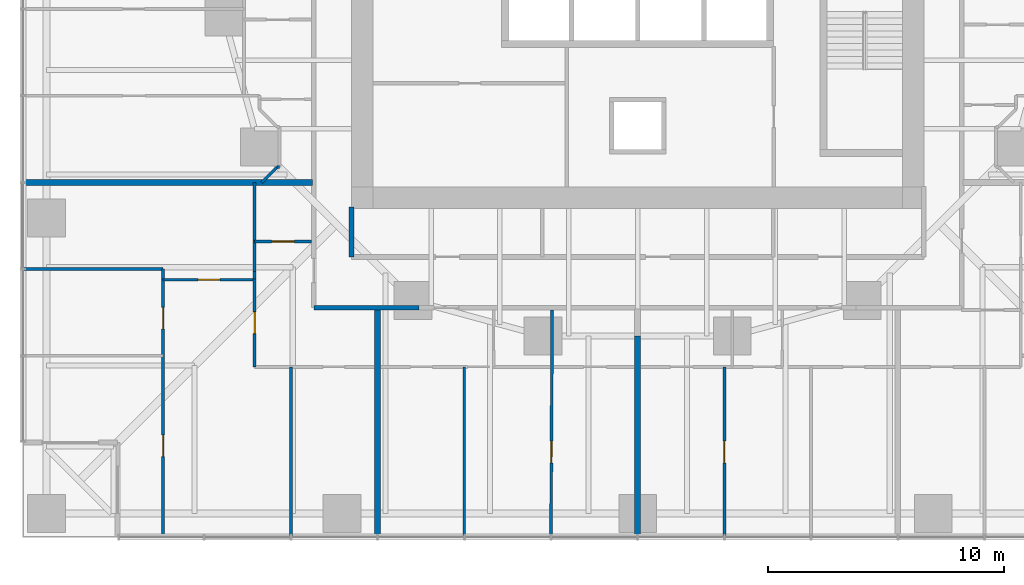
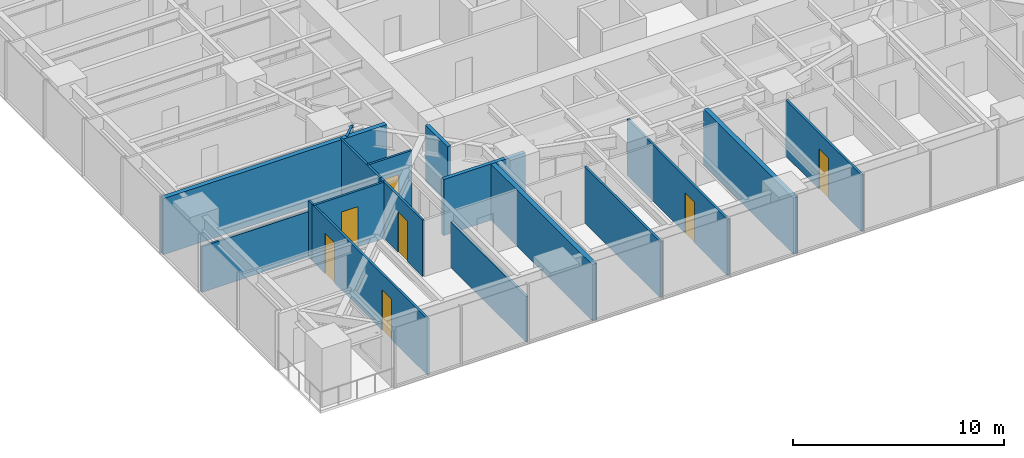
# One storey, part 8 of 18: 19 walls, 7 doors, 7 openings.
"""IFC4 building model written with IfcOpenShell, lengths in metres."""

from ifc_helpers import new_model, si_unit, direction, frame, frame_2d, origin, place, context, subcontext, project, spatial, rectangle, extrude, material, layer, layer_set, type_object, element, fill, save


model = new_model("IFC4")

# Units and contexts
model_context = context("Model", 3, precision=1e-05, world=origin(), true_north=direction((0.0, 1.0)))
body_context = subcontext(model_context, "Body", "Model", "MODEL_VIEW")
ifc_project = project(units=[si_unit("LENGTHUNIT", "METRE"), si_unit("AREAUNIT", "SQUARE_METRE"), si_unit("VOLUMEUNIT", "CUBIC_METRE"), si_unit("PLANEANGLEUNIT", "RADIAN"), si_unit("MASSUNIT", "GRAM", prefix="KILO")], contexts=[model_context])

# Site, building, storey
site_placement = place(None, origin())
site = spatial("IfcSite", under=ifc_project, at=site_placement, CompositionType="ELEMENT")
building_placement = place(site_placement, origin())
building = spatial("IfcBuilding", under=site, at=building_placement, Name="Torsade Residences", CompositionType="ELEMENT")
storey_placement = place(building_placement, frame((0.0, 0.0, 25.199951171875)))
storey = spatial("IfcBuildingStorey", under=building, at=storey_placement, Name="L06", CompositionType="ELEMENT", Elevation=25.199951171875)

# Walls
ifc_material_1 = material(Name="Plasterboard on steel stud", Category="steel")
ifc_layer_1 = layer(ifc_material_1, 0.199951171875)
ifc_layer_set_1 = layer_set([ifc_layer_1], Name="Plasterboard on steel stud")
wall_type_1 = type_object("IfcWallType", Name="CORRIDOR WALL 200", PredefinedType="PARTITIONING", material=ifc_layer_set_1)
wall_1_placement = place(storey_placement, frame((26.300048828125, 13.699951171875, 0.0), z_axis=(0.0, 0.0, 1.0), x_axis=(1.0, 0.0, 0.0)))
element("IfcWall", 1, at=wall_1_placement, inside=storey, type_object=wall_type_1, Name="Corridor wall L06", PredefinedType="PARTITIONING", context=body_context, shape_type="SweptSolid", body=[
    extrude(rectangle(XDim=4.458251953125, YDim=0.199951171875, at=frame_2d((2.22900390625, 0.0))), origin(), (0.0, 0.0, 1.0), 3.25),
])
wall_2_placement = place(storey_placement, frame((27.89990234375, 17.949951171875, 0.0), z_axis=(0.0, 0.0, 1.0), x_axis=(0.0, -1.0, 0.0)))
element("IfcWall", 2, at=wall_2_placement, inside=storey, type_object=wall_type_1, Name="Corridor wall L06", PredefinedType="PARTITIONING", context=body_context, shape_type="SweptSolid", body=[
    extrude(rectangle(XDim=2.099853515625, YDim=0.199951171875, at=frame_2d((1.0498046875, 0.0))), origin(), (0.0, 0.0, 1.0), 3.25),
])
ifc_material_2 = material(Name="Plasterboard on steel stud", Category="steel")
ifc_layer_2 = layer(ifc_material_2, 0.1201171875)
ifc_layer_set_2 = layer_set([ifc_layer_2], Name="Plasterboard on steel stud")
wall_type_2 = type_object("IfcWallType", Name="PARTITION 120", PredefinedType="PARTITIONING", material=ifc_layer_set_2)
wall_3_placement = place(storey_placement, frame((24.10009765625, 19.0, 0.0), z_axis=(0.0, 0.0, 1.0), x_axis=(0.707106781187, 0.707106781187, 0.0)))
element("IfcWall", 3, at=wall_3_placement, inside=storey, type_object=wall_type_2, Name="Partition L06", PredefinedType="PARTITIONING", context=body_context, shape_type="SweptSolid", body=[
    extrude(rectangle(XDim=0.919189453125, YDim=0.1201171875, at=frame_2d((0.45947265625, 0.0))), origin(), (0.0, 0.0, 1.0), 3.25),
])

# Wall, opening, door
wall_4_placement = place(storey_placement, frame((23.800048828125, 16.49853515625, 0.0), z_axis=(0.0, 0.0, 1.0), x_axis=(1.0, 0.0, 0.0)))
wall_4 = element("IfcWall", 4, at=wall_4_placement, inside=storey, type_object=wall_type_2, Name="Partition L06", PredefinedType="PARTITIONING", context=body_context, shape_type="SweptSolid", body=[
    extrude(rectangle(XDim=2.39990234375, YDim=0.1201171875, at=frame_2d((1.199951171875, 0.0))), origin(), (0.0, 0.0, 1.0), 3.25),
])
opening_1_placement = place(wall_4_placement, frame((0.719970703125, 0.0, 0.0)))
opening_1 = element("IfcOpeningElement", 5, at=opening_1_placement, cuts=wall_4, Name="Opening D05", PredefinedType="OPENING", context=body_context, shape_type="SweptSolid", body=[
    extrude(rectangle(XDim=0.9599609375, YDim=2.10009765625, at=frame_2d((0.47998046875, 1.050048828125))), frame((0.0, 0.070068359375, 0.0), z_axis=(0.0, -1.0, 0.0), x_axis=(1.0, 0.0, 0.0)), (0.0, 0.0, 1.0), 0.14013671875),
])
ifc_material_3 = material(Name="Hollow-core timber door in a steel cavity frame", Category="steel")
door_type_1 = type_object("IfcDoorType", Name="BATHROOM CAVITY SLIDING DOOR 960", OperationType="SLIDING_TO_LEFT", PredefinedType="DOOR", material=ifc_material_3)
door_1_placement = place(opening_1_placement, origin())
door_1 = element("IfcDoor", 6, at=door_1_placement, inside=storey, type_object=door_type_1, Name="Door Kitchen and dining to Bathroom", OperationType="SLIDING_TO_LEFT", OverallHeight=2.10009765625, OverallWidth=0.9599609375, PredefinedType="DOOR", context=body_context, shape_type="SweptSolid", body=[
    extrude(rectangle(XDim=0.9599609375, YDim=2.10009765625, at=frame_2d((0.47998046875, 1.050048828125))), frame((0.0, 0.02490234375, 0.0), z_axis=(0.0, -1.0, 0.0), x_axis=(1.0, 0.0, 0.0)), (0.0, 0.0, 1.0), 0.050048828125),
])
fill(opening_1, door_1)

wall_5_placement = place(storey_placement, frame((23.800048828125, 11.199951171875, 0.0), z_axis=(0.0, 0.0, 1.0), x_axis=(0.0, 1.0, 0.0)))
wall_5 = element("IfcWall", 7, at=wall_5_placement, inside=storey, type_object=wall_type_2, Name="Partition L06", PredefinedType="PARTITIONING", context=body_context, shape_type="SweptSolid", body=[
    extrude(rectangle(XDim=3.723388671875, YDim=0.1201171875, at=frame_2d((1.86181640625, 0.0))), origin(), (0.0, 0.0, 1.0), 3.25),
])
opening_2_placement = place(wall_5_placement, frame((1.40673828125, 0.0, 0.0)))
opening_2 = element("IfcOpeningElement", 8, at=opening_2_placement, cuts=wall_5, Name="Opening D02", PredefinedType="OPENING", context=body_context, shape_type="SweptSolid", body=[
    extrude(rectangle(XDim=0.919921875, YDim=2.340087890625, at=frame_2d((0.4599609375, 1.169921875))), frame((0.0, 0.070068359375, 0.0), z_axis=(0.0, -1.0, 0.0), x_axis=(1.0, 0.0, 0.0)), (0.0, 0.0, 1.0), 0.14013671875),
])
ifc_material_4 = material(Name="Hollow-core timber door", Category="wood")
door_type_2 = type_object("IfcDoorType", Name="INTERNAL DOOR 920x2340", OperationType="NOTDEFINED", PredefinedType="DOOR", material=ifc_material_4)
door_2_placement = place(opening_2_placement, origin())
door_2 = element("IfcDoor", 9, at=door_2_placement, inside=storey, type_object=door_type_2, Name="Door Kitchen and dining to Living room", OperationType="SINGLE_SWING_RIGHT", OverallHeight=2.340087890625, OverallWidth=0.919921875, PredefinedType="DOOR", context=body_context, shape_type="SweptSolid", body=[
    extrude(rectangle(XDim=0.919921875, YDim=2.340087890625, at=frame_2d((0.4599609375, 1.169921875))), frame((0.0, 0.02490234375, 0.0), z_axis=(0.0, -1.0, 0.0), x_axis=(1.0, 0.0, 0.0)), (0.0, 0.0, 1.0), 0.050048828125),
])
fill(opening_2, door_2)

# Wall
wall_6_placement = place(storey_placement, frame((23.800048828125, 15.2333984375, 0.0), z_axis=(0.0, 0.0, 1.0), x_axis=(0.0, 1.0, 0.0)))
element("IfcWall", 10, at=wall_6_placement, inside=storey, type_object=wall_type_2, Name="Partition L06", PredefinedType="PARTITIONING", context=body_context, shape_type="SweptSolid", body=[
    extrude(rectangle(XDim=3.7666015625, YDim=0.1201171875, at=frame_2d((1.88330078125, 0.0))), origin(), (0.0, 0.0, 1.0), 3.25),
])

# Wall, opening, door
wall_7_placement = place(storey_placement, frame((19.927001953125, 14.88330078125, 0.0), z_axis=(0.0, 0.0, 1.0), x_axis=(1.0, 0.0, 0.0)))
wall_7 = element("IfcWall", 11, at=wall_7_placement, inside=storey, type_object=wall_type_2, Name="Partition L06", PredefinedType="PARTITIONING", context=body_context, shape_type="SweptSolid", body=[
    extrude(rectangle(XDim=3.873046875, YDim=0.1201171875, at=frame_2d((1.9365234375, 0.0))), origin(), (0.0, 0.0, 1.0), 3.25),
])
opening_3_placement = place(wall_7_placement, frame((1.4765625, 0.0, 0.0)))
opening_3 = element("IfcOpeningElement", 12, at=opening_3_placement, cuts=wall_7, Name="Opening D02", PredefinedType="OPENING", context=body_context, shape_type="SweptSolid", body=[
    extrude(rectangle(XDim=0.919921875, YDim=2.340087890625, at=frame_2d((0.4599609375, 1.169921875))), frame((0.0, 0.070068359375, 0.0), z_axis=(0.0, -1.0, 0.0), x_axis=(1.0, 0.0, 0.0)), (0.0, 0.0, 1.0), 0.14013671875),
])
door_3_placement = place(opening_3_placement, origin())
door_3 = element("IfcDoor", 13, at=door_3_placement, inside=storey, type_object=door_type_2, Name="Door Living room to Bedroom 1", OperationType="SINGLE_SWING_RIGHT", OverallHeight=2.340087890625, OverallWidth=0.919921875, PredefinedType="DOOR", context=body_context, shape_type="SweptSolid", body=[
    extrude(rectangle(XDim=0.919921875, YDim=2.340087890625, at=frame_2d((0.4599609375, 1.169921875))), frame((0.0, 0.02490234375, 0.0), z_axis=(0.0, -1.0, 0.0), x_axis=(1.0, 0.0, 0.0)), (0.0, 0.0, 1.0), 0.050048828125),
])
fill(opening_3, door_3)

# Wall, openings, doors
wall_8_placement = place(storey_placement, frame((19.927001953125, 4.0400390625, 0.0), z_axis=(0.0, 0.0, 1.0), x_axis=(0.0, 1.0, 0.0)))
wall_8 = element("IfcWall", 14, at=wall_8_placement, inside=storey, type_object=wall_type_2, Name="Partition L06", PredefinedType="PARTITIONING", context=body_context, shape_type="SweptSolid", body=[
    extrude(rectangle(XDim=10.88330078125, YDim=0.1201171875, at=frame_2d((5.441650390625, 0.0))), origin(), (0.0, 0.0, 1.0), 3.25),
])
opening_4_placement = place(wall_8_placement, frame((3.3583984375, 0.0, 0.0)))
opening_4 = element("IfcOpeningElement", 15, at=opening_4_placement, cuts=wall_8, Name="Opening D02", PredefinedType="OPENING", context=body_context, shape_type="SweptSolid", body=[
    extrude(rectangle(XDim=0.919921875, YDim=2.340087890625, at=frame_2d((0.4599609375, 1.169921875))), frame((0.0, 0.070068359375, 0.0), z_axis=(0.0, -1.0, 0.0), x_axis=(1.0, 0.0, 0.0)), (0.0, 0.0, 1.0), 0.14013671875),
])
opening_5_placement = place(wall_8_placement, frame((8.75, 0.0, 0.0)))
opening_5 = element("IfcOpeningElement", 16, at=opening_5_placement, cuts=wall_8, Name="Opening D02", PredefinedType="OPENING", context=body_context, shape_type="SweptSolid", body=[
    extrude(rectangle(XDim=0.919921875, YDim=2.340087890625, at=frame_2d((0.4599609375, 1.169921875))), frame((0.0, 0.070068359375, 0.0), z_axis=(0.0, -1.0, 0.0), x_axis=(1.0, 0.0, 0.0)), (0.0, 0.0, 1.0), 0.14013671875),
])
door_4_placement = place(opening_4_placement, origin())
door_4 = element("IfcDoor", 17, at=door_4_placement, inside=storey, type_object=door_type_2, Name="Door Living room to Bedroom 2", OperationType="SINGLE_SWING_LEFT", OverallHeight=2.340087890625, OverallWidth=0.919921875, PredefinedType="DOOR", context=body_context, shape_type="SweptSolid", body=[
    extrude(rectangle(XDim=0.919921875, YDim=2.340087890625, at=frame_2d((0.4599609375, 1.169921875))), frame((0.0, 0.02490234375, 0.0), z_axis=(0.0, -1.0, 0.0), x_axis=(1.0, 0.0, 0.0)), (0.0, 0.0, 1.0), 0.050048828125),
])
fill(opening_4, door_4)
door_5_placement = place(opening_5_placement, origin())
door_5 = element("IfcDoor", 18, at=door_5_placement, inside=storey, type_object=door_type_2, Name="Door Living room to Family room", OperationType="SINGLE_SWING_LEFT", OverallHeight=2.340087890625, OverallWidth=0.919921875, PredefinedType="DOOR", context=body_context, shape_type="SweptSolid", body=[
    extrude(rectangle(XDim=0.919921875, YDim=2.340087890625, at=frame_2d((0.4599609375, 1.169921875))), frame((0.0, 0.02490234375, 0.0), z_axis=(0.0, -1.0, 0.0), x_axis=(1.0, 0.0, 0.0)), (0.0, 0.0, 1.0), 0.050048828125),
])
fill(opening_5, door_5)

# Walls
wall_9_placement = place(storey_placement, frame((25.333251953125, 11.199951171875, 0.0), z_axis=(0.0, 0.0, 1.0), x_axis=(0.0, -1.0, 0.0)))
element("IfcWall", 19, at=wall_9_placement, inside=storey, type_object=wall_type_2, Name="Partition L06", PredefinedType="PARTITIONING", context=body_context, shape_type="SweptSolid", body=[
    extrude(rectangle(XDim=7.159912109375, YDim=0.1201171875, at=frame_2d((3.580078125, 0.0))), origin(), (0.0, 0.0, 1.0), 2.636962890625),
])
wall_10_placement = place(storey_placement, frame((19.927001953125, 15.333251953125, 0.0), z_axis=(0.0, 0.0, 1.0), x_axis=(-1.0, 0.0, 0.0)))
element("IfcWall", 20, at=wall_10_placement, inside=storey, type_object=wall_type_2, Name="Partition L06", PredefinedType="PARTITIONING", context=body_context, shape_type="SweptSolid", body=[
    extrude(rectangle(XDim=5.886962890625, YDim=0.1201171875, at=frame_2d((2.943359375, 0.0))), origin(), (0.0, 0.0, 1.0), 2.636962890625),
])

# Wall, opening, door
wall_11_placement = place(storey_placement, frame((36.333251953125, 4.0400390625, 0.0), z_axis=(0.0, 0.0, 1.0), x_axis=(0.005107446534, 0.99998695691, 0.0)))
wall_11 = element("IfcWall", 21, at=wall_11_placement, inside=storey, type_object=wall_type_2, Name="Partition L06", PredefinedType="PARTITIONING", context=body_context, shape_type="SweptSolid", body=[
    extrude(rectangle(XDim=9.560302734375, YDim=0.1201171875, at=frame_2d((4.7802734375, 0.0))), origin(), (0.0, 0.0, 1.0), 3.25),
])
opening_6_placement = place(wall_11_placement, frame((3.099853515625, 0.0, 0.0)))
opening_6 = element("IfcOpeningElement", 22, at=opening_6_placement, cuts=wall_11, Name="Opening D02", PredefinedType="OPENING", context=body_context, shape_type="SweptSolid", body=[
    extrude(rectangle(XDim=0.919921875, YDim=2.340087890625, at=frame_2d((0.4599609375, 1.169921875))), frame((0.0, 0.070068359375, 0.0), z_axis=(0.0, -1.0, 0.0), x_axis=(1.0, 0.0, 0.0)), (0.0, 0.0, 1.0), 0.14013671875),
])
door_6_placement = place(opening_6_placement, origin())
door_6 = element("IfcDoor", 23, at=door_6_placement, inside=storey, type_object=door_type_2, Name="Door Bedroom 2 to Bedroom 1", OperationType="SINGLE_SWING_LEFT", OverallHeight=2.340087890625, OverallWidth=0.919921875, PredefinedType="DOOR", context=body_context, shape_type="SweptSolid", body=[
    extrude(rectangle(XDim=0.919921875, YDim=2.340087890625, at=frame_2d((0.4599609375, 1.169921875))), frame((0.0, 0.02490234375, 0.0), z_axis=(0.0, -1.0, 0.0), x_axis=(1.0, 0.0, 0.0)), (0.0, 0.0, 1.0), 0.050048828125),
])
fill(opening_6, door_6)

# Wall
wall_12_placement = place(storey_placement, frame((32.666748046875, 11.199951171875, 0.0), z_axis=(0.0, 0.0, 1.0), x_axis=(0.0, -1.0, 0.0)))
element("IfcWall", 24, at=wall_12_placement, inside=storey, type_object=wall_type_2, Name="Partition L06", PredefinedType="PARTITIONING", context=body_context, shape_type="SweptSolid", body=[
    extrude(rectangle(XDim=7.159912109375, YDim=0.1201171875, at=frame_2d((3.580078125, 0.0))), origin(), (0.0, 0.0, 1.0), 3.25),
])

# Wall, opening, door
wall_13_placement = place(storey_placement, frame((43.666748046875, 11.199951171875, 0.0), z_axis=(0.0, 0.0, 1.0), x_axis=(0.0, -1.0, 0.0)))
wall_13 = element("IfcWall", 25, at=wall_13_placement, inside=storey, type_object=wall_type_2, Name="Partition L06", PredefinedType="PARTITIONING", context=body_context, shape_type="SweptSolid", body=[
    extrude(rectangle(XDim=7.159912109375, YDim=0.1201171875, at=frame_2d((3.580078125, 0.0))), origin(), (0.0, 0.0, 1.0), 3.25),
])
opening_7_placement = place(wall_13_placement, frame((3.139892578125, 0.0, 0.0)))
opening_7 = element("IfcOpeningElement", 26, at=opening_7_placement, cuts=wall_13, Name="Opening D02", PredefinedType="OPENING", context=body_context, shape_type="SweptSolid", body=[
    extrude(rectangle(XDim=0.919921875, YDim=2.340087890625, at=frame_2d((0.4599609375, 1.169921875))), frame((0.0, 0.070068359375, 0.0), z_axis=(0.0, -1.0, 0.0), x_axis=(1.0, 0.0, 0.0)), (0.0, 0.0, 1.0), 0.14013671875),
])
door_7_placement = place(opening_7_placement, origin())
door_7 = element("IfcDoor", 27, at=door_7_placement, inside=storey, type_object=door_type_2, Name="Door Bedroom 2 to Living room", OperationType="SINGLE_SWING_RIGHT", OverallHeight=2.340087890625, OverallWidth=0.919921875, PredefinedType="DOOR", context=body_context, shape_type="SweptSolid", body=[
    extrude(rectangle(XDim=0.919921875, YDim=2.340087890625, at=frame_2d((0.4599609375, 1.169921875))), frame((0.0, 0.02490234375, 0.0), z_axis=(0.0, -1.0, 0.0), x_axis=(1.0, 0.0, 0.0)), (0.0, 0.0, 1.0), 0.050048828125),
])
fill(opening_7, door_7)

# Walls
wall_14_placement = place(storey_placement, frame((24.85009765625, 19.64990234375, 0.0), z_axis=(0.0, 0.0, 1.0), x_axis=(-1.0, 0.0, 0.0)))
element("IfcWall", 28, at=wall_14_placement, inside=storey, type_object=wall_type_2, Name="Partition L06", PredefinedType="PARTITIONING", context=body_context, shape_type="SweptSolid", body=[
    extrude(rectangle(XDim=0.10009765625, YDim=0.1201171875, at=frame_2d((0.050048828125, 0.0))), origin(), (0.0, 0.0, 1.0), 3.25),
])
wall_15_placement = place(storey_placement, frame((23.800048828125, 15.2333984375, 0.0), z_axis=(0.0, 0.0, 1.0), x_axis=(0.0, -1.0, 0.0)))
element("IfcWall", 29, at=wall_15_placement, inside=storey, type_object=wall_type_2, Name="Partition L06", PredefinedType="PARTITIONING", context=body_context, shape_type="SweptSolid", body=[
    extrude(rectangle(XDim=0.31005859375, YDim=0.1201171875, at=frame_2d((0.155029296875, 0.0))), origin(), (0.0, 0.0, 1.0), 3.25),
])
wall_16_placement = place(storey_placement, frame((19.927001953125, 15.333251953125, 0.0), z_axis=(0.0, 0.0, 1.0), x_axis=(0.0, -1.0, 0.0)))
element("IfcWall", 30, at=wall_16_placement, inside=storey, type_object=wall_type_2, Name="Partition L06", PredefinedType="PARTITIONING", context=body_context, shape_type="SweptSolid", body=[
    extrude(rectangle(XDim=0.409912109375, YDim=0.1201171875, at=frame_2d((0.205078125, 0.0))), origin(), (0.0, 0.0, 1.0), 3.25),
])
ifc_material_5 = material(Name="Masonry-lined stud party wall", Category="masonry")
ifc_layer_3 = layer(ifc_material_5, 0.25)
ifc_layer_set_3 = layer_set([ifc_layer_3], Name="Masonry-lined stud party wall")
wall_type_3 = type_object("IfcWallType", Name="PARTY WALL 250", PredefinedType="PARTITIONING", material=ifc_layer_set_3)
wall_17_placement = place(storey_placement, frame((29.0, 4.0, 0.0), z_axis=(0.0, 0.0, 1.0), x_axis=(0.0, 1.0, 0.0)))
element("IfcWall", 31, at=wall_17_placement, inside=storey, type_object=wall_type_3, Name="Party wall L06", PredefinedType="PARTITIONING", context=body_context, shape_type="SweptSolid", body=[
    extrude(rectangle(XDim=9.639892578125, YDim=0.25, at=frame_2d((4.81982421875, 0.0))), origin(), (0.0, 0.0, 1.0), 3.25),
])
wall_18_placement = place(storey_placement, frame((40.0, 4.0, 0.0), z_axis=(0.0, 0.0, 1.0), x_axis=(0.0, 1.0, 0.0)))
element("IfcWall", 32, at=wall_18_placement, inside=storey, type_object=wall_type_3, Name="Party wall L06", PredefinedType="PARTITIONING", context=body_context, shape_type="SweptSolid", body=[
    extrude(rectangle(XDim=8.5, YDim=0.25, at=frame_2d((4.25, 0.0))), origin(), (0.0, 0.0, 1.0), 3.25),
])
wall_19_placement = place(storey_placement, frame((14.0, 19.0, 0.0), z_axis=(0.0, 0.0, 1.0), x_axis=(1.0, 0.0, 0.0)))
element("IfcWall", 33, at=wall_19_placement, inside=storey, type_object=wall_type_3, Name="Party wall L06", PredefinedType="PARTITIONING", context=body_context, shape_type="SweptSolid", body=[
    extrude(rectangle(XDim=12.239990234375, YDim=0.25, at=frame_2d((6.1201171875, 0.0))), origin(), (0.0, 0.0, 1.0), 3.25),
])

save(model, "model.ifc")
